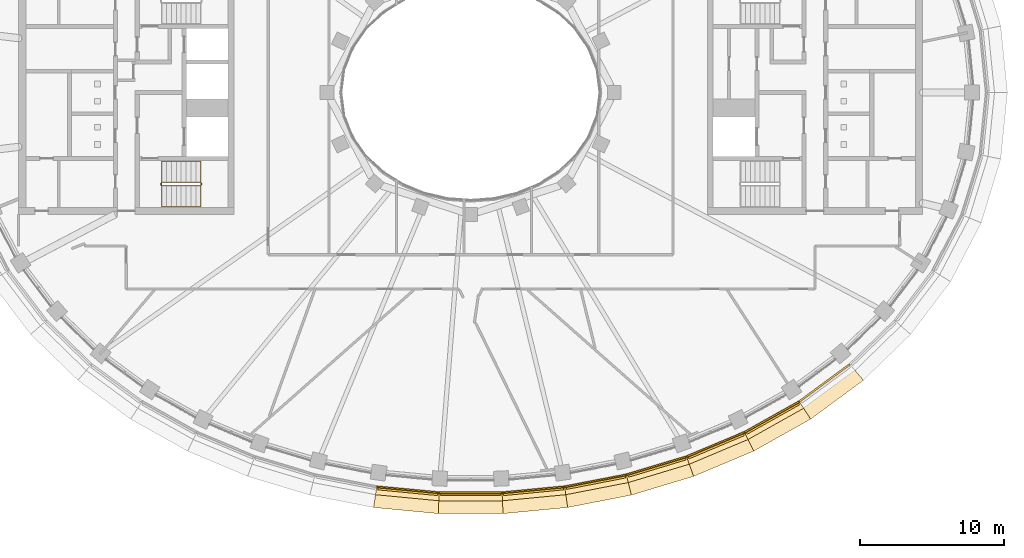
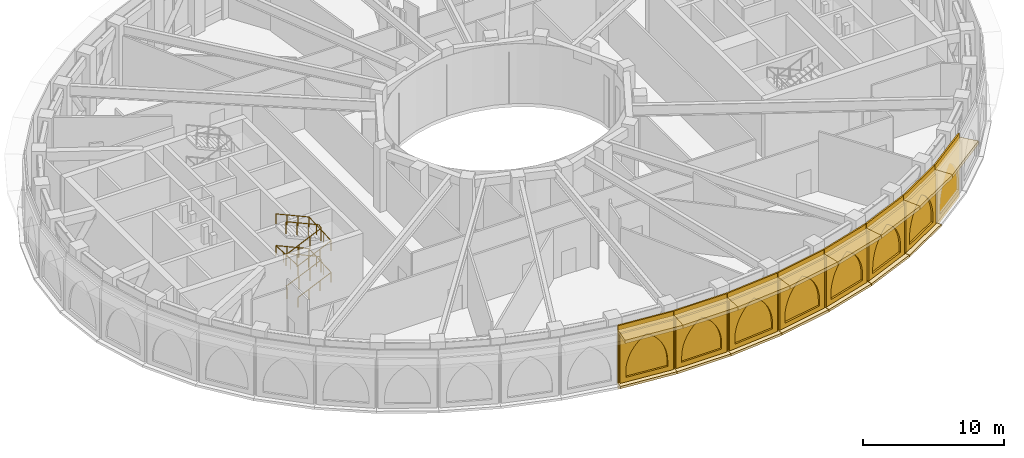
# One storey, part 19 of 23: 30 coverings, 2 railings.
"""IFC4 building model written with IfcOpenShell, lengths in metres."""

from ifc_helpers import new_model, si_unit, direction, frame, origin, origin_2d, place, context, subcontext, project, spatial, polyline, rectangle, outline, extrude, material, layer, layer_set, type_object, element, save


model = new_model("IFC4")

# Units and contexts
model_context = context("Model", 3, precision=1e-05, world=origin(), true_north=direction((0.0, 1.0)))
body_context = subcontext(model_context, "Body", "Model", "MODEL_VIEW")
ifc_project = project(units=[si_unit("LENGTHUNIT", "METRE"), si_unit("AREAUNIT", "SQUARE_METRE"), si_unit("VOLUMEUNIT", "CUBIC_METRE"), si_unit("PLANEANGLEUNIT", "RADIAN"), si_unit("MASSUNIT", "GRAM", prefix="KILO")], contexts=[model_context])

# Site, building, storey
site_placement = place(None, origin())
site = spatial("IfcSite", under=ifc_project, at=site_placement, CompositionType="ELEMENT")
building_placement = place(site_placement, origin())
building = spatial("IfcBuilding", under=site, at=building_placement, Name="Noorbagh Ring Tower", CompositionType="ELEMENT")
storey_placement = place(building_placement, frame((0.0, 0.0, 285.5)))
storey = spatial("IfcBuildingStorey", under=building, at=storey_placement, Name="L61", CompositionType="ELEMENT", Elevation=285.5)

# Railings
ifc_material_1 = material(Name="Stainless steel", Category="steel")
railing_type_1 = type_object("IfcRailingType", Name="CORE-STAIR-GUARD", PredefinedType="GUARDRAIL", material=ifc_material_1)
railing_1_placement = place(storey_placement, frame((-21.580078125, -6.449951171875, 0.0)))
element("IfcRailing", 1, at=railing_1_placement, inside=storey, type_object=railing_type_1, Name="L61 ST2 stair guard", PredefinedType="GUARDRAIL", context=body_context, shape_type="SweptSolid", body=[
    extrude(rectangle(XDim=0.048095703125, YDim=0.048095703125, at=origin_2d()), frame((0.0, 0.0, 1.076171875), z_axis=(0.0, 1.0, 0.0), x_axis=(-1.0, 0.0, 0.0)), (0.0, 0.0, 1.0), 0.14990234375),
    extrude(rectangle(XDim=0.048095703125, YDim=0.048095703125, at=origin_2d()), frame((0.0, 0.14990234375, 1.076171875), z_axis=(0.195046945594, -0.779236333862, 0.595606770449), x_axis=(0.970072785993, 0.242814311512, 0.0)), (0.0, 0.0, 1.0), 0.256591796875),
    extrude(rectangle(XDim=0.048095703125, YDim=0.048095703125, at=origin_2d()), frame((0.050048828125, -0.050048828125, 1.22900390625), z_axis=(0.912149621895, 0.0, 0.409857374312), x_axis=(0.0, 1.0, 0.0)), (0.0, 0.0, 1.0), 2.98193359375),
    extrude(rectangle(XDim=0.048095703125, YDim=0.048095703125, at=origin_2d()), frame((2.77001953125, -0.050048828125, 2.451171875), z_axis=(0.707106781187, 0.707106781187, 0.0), x_axis=(-0.707106781187, 0.707106781187, 0.0)), (0.0, 0.0, 1.0), 0.07080078125),
    extrude(rectangle(XDim=0.048095703125, YDim=0.048095703125, at=origin_2d()), frame((2.820068359375, 0.0, 2.451171875), z_axis=(0.0, 1.0, 0.0), x_axis=(-1.0, 0.0, 0.0)), (0.0, 0.0, 1.0), 0.14990234375),
    extrude(rectangle(XDim=0.048095703125, YDim=0.048095703125, at=origin_2d()), frame((2.820068359375, 0.14990234375, 2.451171875), z_axis=(-0.297155754911, 0.297155754911, 0.90741220768), x_axis=(-0.707106781187, -0.707106781187, 0.0)), (0.0, 0.0, 1.0), 0.16845703125),
    extrude(rectangle(XDim=0.048095703125, YDim=0.048095703125, at=origin_2d()), frame((2.77001953125, 0.199951171875, 2.60400390625), z_axis=(-0.912149621895, 0.0, 0.409857374312), x_axis=(0.0, -1.0, 0.0)), (0.0, 0.0, 1.0), 2.98193359375),
    extrude(rectangle(XDim=0.048095703125, YDim=0.048095703125, at=origin_2d()), frame((0.050048828125, 0.199951171875, 3.826171875), z_axis=(-0.242814311512, -0.970072785993, 0.0), x_axis=(0.970072785993, -0.242814311512, 0.0)), (0.0, 0.0, 1.0), 0.2060546875),
    extrude(rectangle(XDim=0.048095703125, YDim=0.048095703125, at=origin_2d()), frame((0.0, 0.0, 3.826171875), z_axis=(0.0, 1.0, 0.0), x_axis=(-1.0, 0.0, 0.0)), (0.0, 0.0, 1.0), 0.14990234375),
    extrude(rectangle(XDim=0.048095703125, YDim=0.048095703125, at=origin_2d()), frame((0.0, 0.14990234375, 3.826171875), z_axis=(0.195046945594, -0.779236333862, 0.595606770449), x_axis=(0.970072785993, 0.242814311512, 0.0)), (0.0, 0.0, 1.0), 0.256591796875),
    extrude(rectangle(XDim=0.048095703125, YDim=0.048095703125, at=origin_2d()), frame((0.050048828125, -0.050048828125, 3.97900390625), z_axis=(0.912149621895, 0.0, 0.409857374312), x_axis=(0.0, 1.0, 0.0)), (0.0, 0.0, 1.0), 2.98193359375),
    extrude(rectangle(XDim=0.048095703125, YDim=0.048095703125, at=origin_2d()), frame((2.77001953125, -0.050048828125, 5.201171875), z_axis=(0.707106781187, 0.707106781187, 0.0), x_axis=(-0.707106781187, 0.707106781187, 0.0)), (0.0, 0.0, 1.0), 0.07080078125),
    extrude(rectangle(XDim=0.048095703125, YDim=0.048095703125, at=origin_2d()), frame((2.820068359375, 0.0, 5.201171875), z_axis=(0.0, 1.0, 0.0), x_axis=(-1.0, 0.0, 0.0)), (0.0, 0.0, 1.0), 0.14990234375),
    extrude(rectangle(XDim=0.048095703125, YDim=0.048095703125, at=origin_2d()), frame((2.820068359375, 0.14990234375, 5.201171875), z_axis=(-0.297155754911, 0.297155754911, 0.90741220768), x_axis=(-0.707106781187, -0.707106781187, 0.0)), (0.0, 0.0, 1.0), 0.16845703125),
    extrude(rectangle(XDim=0.048095703125, YDim=0.048095703125, at=origin_2d()), frame((2.77001953125, 0.199951171875, 5.35400390625), z_axis=(-0.912149621895, 0.0, 0.409857374312), x_axis=(0.0, -1.0, 0.0)), (0.0, 0.0, 1.0), 2.98193359375),
    extrude(rectangle(XDim=0.0419921875, YDim=0.0419921875, at=origin_2d()), origin(), (0.0, 0.0, 1.0), 1.052001953125),
    extrude(rectangle(XDim=0.0419921875, YDim=0.0419921875, at=origin_2d()), frame((0.956787109375, -0.050048828125, 0.560302734375)), (0.0, 0.0, 1.0), 1.052001953125),
    extrude(rectangle(XDim=0.0419921875, YDim=0.0419921875, at=origin_2d()), frame((1.86328125, -0.050048828125, 0.967529296875)), (0.0, 0.0, 1.0), 1.052001953125),
    extrude(rectangle(XDim=0.0419921875, YDim=0.0419921875, at=origin_2d()), frame((2.77001953125, -0.050048828125, 1.375)), (0.0, 0.0, 1.0), 1.052001953125),
    extrude(rectangle(XDim=0.0419921875, YDim=0.0419921875, at=origin_2d()), frame((1.86328125, 0.199951171875, 1.935302734375)), (0.0, 0.0, 1.0), 1.052001953125),
    extrude(rectangle(XDim=0.0419921875, YDim=0.0419921875, at=origin_2d()), frame((0.956787109375, 0.199951171875, 2.342529296875)), (0.0, 0.0, 1.0), 1.052001953125),
    extrude(rectangle(XDim=0.0419921875, YDim=0.0419921875, at=origin_2d()), frame((0.050048828125, 0.199951171875, 2.75)), (0.0, 0.0, 1.0), 1.052001953125),
    extrude(rectangle(XDim=0.0419921875, YDim=0.0419921875, at=origin_2d()), frame((0.956787109375, -0.050048828125, 3.310302734375)), (0.0, 0.0, 1.0), 1.052001953125),
    extrude(rectangle(XDim=0.0419921875, YDim=0.0419921875, at=origin_2d()), frame((1.86328125, -0.050048828125, 3.717529296875)), (0.0, 0.0, 1.0), 1.052001953125),
    extrude(rectangle(XDim=0.0419921875, YDim=0.0419921875, at=origin_2d()), frame((2.77001953125, -0.050048828125, 4.125)), (0.0, 0.0, 1.0), 1.052001953125),
    extrude(rectangle(XDim=0.0419921875, YDim=0.0419921875, at=origin_2d()), frame((1.86328125, 0.199951171875, 4.685302734375)), (0.0, 0.0, 1.0), 1.052001953125),
    extrude(rectangle(XDim=0.0419921875, YDim=0.0419921875, at=origin_2d()), frame((0.956787109375, 0.199951171875, 5.092529296875)), (0.0, 0.0, 1.0), 1.052001953125),
    extrude(rectangle(XDim=0.0419921875, YDim=0.0419921875, at=origin_2d()), frame((0.050048828125, 0.199951171875, 5.5)), (0.0, 0.0, 1.0), 1.052001953125),
])
ifc_material_2 = material(Name="Stainless steel", Category="steel")
railing_type_2 = type_object("IfcRailingType", Name="CORE-STAIR-HANDRAIL", PredefinedType="HANDRAIL", material=ifc_material_2)
railing_2_placement = place(storey_placement, frame((-21.530029296875, -7.949951171875, 0.15283203125)))
element("IfcRailing", 2, at=railing_2_placement, inside=storey, type_object=railing_type_2, Name="L61 ST2 stair handrail", PredefinedType="HANDRAIL", context=body_context, shape_type="SweptSolid", body=[
    extrude(rectangle(XDim=0.048095703125, YDim=0.048095703125, at=origin_2d()), frame((0.0, 0.0, 0.8759765625), z_axis=(0.912149621895, 0.0, 0.409857374312), x_axis=(0.0, 1.0, 0.0)), (0.0, 0.0, 1.0), 2.98193359375),
    extrude(rectangle(XDim=0.048095703125, YDim=0.048095703125, at=origin_2d()), frame((2.719970703125, 0.0, 2.09814453125), z_axis=(0.0, 0.998824997948, 0.048462598722), x_axis=(-1.0, 0.0, 0.0)), (0.0, 0.0, 1.0), 3.153564453125),
    extrude(rectangle(XDim=0.048095703125, YDim=0.048095703125, at=origin_2d()), frame((2.719970703125, 3.14990234375, 2.2509765625), z_axis=(-0.912149621895, 0.0, 0.409857374312), x_axis=(0.0, -1.0, 0.0)), (0.0, 0.0, 1.0), 2.98193359375),
    extrude(rectangle(XDim=0.048095703125, YDim=0.048095703125, at=origin_2d()), frame((0.0, 3.14990234375, 3.47314453125), z_axis=(0.0, -0.998824997948, 0.048462598722), x_axis=(1.0, 0.0, 0.0)), (0.0, 0.0, 1.0), 3.153564453125),
    extrude(rectangle(XDim=0.048095703125, YDim=0.048095703125, at=origin_2d()), frame((0.0, 0.0, 3.6259765625), z_axis=(0.912149621895, 0.0, 0.409857374312), x_axis=(0.0, 1.0, 0.0)), (0.0, 0.0, 1.0), 2.98193359375),
    extrude(rectangle(XDim=0.048095703125, YDim=0.048095703125, at=origin_2d()), frame((2.719970703125, 0.0, 4.84814453125), z_axis=(0.0, 0.998824997948, 0.048462598722), x_axis=(-1.0, 0.0, 0.0)), (0.0, 0.0, 1.0), 3.153564453125),
    extrude(rectangle(XDim=0.048095703125, YDim=0.048095703125, at=origin_2d()), frame((2.719970703125, 3.14990234375, 5.0009765625), z_axis=(-0.912149621895, 0.0, 0.409857374312), x_axis=(0.0, -1.0, 0.0)), (0.0, 0.0, 1.0), 2.98193359375),
    extrude(rectangle(XDim=0.0419921875, YDim=0.0419921875, at=origin_2d()), origin(), (0.0, 0.0, 1.0), 0.851806640625),
    extrude(rectangle(XDim=0.0419921875, YDim=0.0419921875, at=origin_2d()), frame((0.90673828125, 0.0, 0.407470703125)), (0.0, 0.0, 1.0), 0.851806640625),
    extrude(rectangle(XDim=0.0419921875, YDim=0.0419921875, at=origin_2d()), frame((1.813232421875, 0.0, 0.814697265625)), (0.0, 0.0, 1.0), 0.851806640625),
    extrude(rectangle(XDim=0.0419921875, YDim=0.0419921875, at=origin_2d()), frame((2.719970703125, 0.0, 1.22216796875)), (0.0, 0.0, 1.0), 0.851806640625),
    extrude(rectangle(XDim=0.0419921875, YDim=0.0419921875, at=origin_2d()), frame((2.719970703125, 1.050048828125, 1.273193359375)), (0.0, 0.0, 1.0), 0.851806640625),
    extrude(rectangle(XDim=0.0419921875, YDim=0.0419921875, at=origin_2d()), frame((2.719970703125, 2.099853515625, 1.323974609375)), (0.0, 0.0, 1.0), 0.851806640625),
    extrude(rectangle(XDim=0.0419921875, YDim=0.0419921875, at=origin_2d()), frame((2.719970703125, 3.14990234375, 1.375)), (0.0, 0.0, 1.0), 0.851806640625),
    extrude(rectangle(XDim=0.0419921875, YDim=0.0419921875, at=origin_2d()), frame((1.813232421875, 3.14990234375, 1.782470703125)), (0.0, 0.0, 1.0), 0.851806640625),
    extrude(rectangle(XDim=0.0419921875, YDim=0.0419921875, at=origin_2d()), frame((0.90673828125, 3.14990234375, 2.189697265625)), (0.0, 0.0, 1.0), 0.851806640625),
    extrude(rectangle(XDim=0.0419921875, YDim=0.0419921875, at=origin_2d()), frame((0.0, 3.14990234375, 2.59716796875)), (0.0, 0.0, 1.0), 0.851806640625),
    extrude(rectangle(XDim=0.0419921875, YDim=0.0419921875, at=origin_2d()), frame((0.0, 2.099853515625, 2.648193359375)), (0.0, 0.0, 1.0), 0.851806640625),
    extrude(rectangle(XDim=0.0419921875, YDim=0.0419921875, at=origin_2d()), frame((0.0, 1.050048828125, 2.698974609375)), (0.0, 0.0, 1.0), 0.851806640625),
    extrude(rectangle(XDim=0.0419921875, YDim=0.0419921875, at=origin_2d()), frame((0.0, 0.0, 2.75)), (0.0, 0.0, 1.0), 0.851806640625),
    extrude(rectangle(XDim=0.0419921875, YDim=0.0419921875, at=origin_2d()), frame((0.90673828125, 0.0, 3.157470703125)), (0.0, 0.0, 1.0), 0.851806640625),
    extrude(rectangle(XDim=0.0419921875, YDim=0.0419921875, at=origin_2d()), frame((1.813232421875, 0.0, 3.564697265625)), (0.0, 0.0, 1.0), 0.851806640625),
    extrude(rectangle(XDim=0.0419921875, YDim=0.0419921875, at=origin_2d()), frame((2.719970703125, 0.0, 3.97216796875)), (0.0, 0.0, 1.0), 0.851806640625),
    extrude(rectangle(XDim=0.0419921875, YDim=0.0419921875, at=origin_2d()), frame((2.719970703125, 1.050048828125, 4.023193359375)), (0.0, 0.0, 1.0), 0.851806640625),
    extrude(rectangle(XDim=0.0419921875, YDim=0.0419921875, at=origin_2d()), frame((2.719970703125, 2.099853515625, 4.073974609375)), (0.0, 0.0, 1.0), 0.851806640625),
    extrude(rectangle(XDim=0.0419921875, YDim=0.0419921875, at=origin_2d()), frame((2.719970703125, 3.14990234375, 4.125)), (0.0, 0.0, 1.0), 0.851806640625),
    extrude(rectangle(XDim=0.0419921875, YDim=0.0419921875, at=origin_2d()), frame((1.813232421875, 3.14990234375, 4.532470703125)), (0.0, 0.0, 1.0), 0.851806640625),
    extrude(rectangle(XDim=0.0419921875, YDim=0.0419921875, at=origin_2d()), frame((0.90673828125, 3.14990234375, 4.939697265625)), (0.0, 0.0, 1.0), 0.851806640625),
    extrude(rectangle(XDim=0.0419921875, YDim=0.0419921875, at=origin_2d()), frame((0.0, 3.14990234375, 5.34716796875)), (0.0, 0.0, 1.0), 0.851806640625),
])

# Coverings
ifc_material_3 = material(Name="Aluminium 6063-T6 black anodised", Category="aluminium")
ifc_layer_1 = layer(ifc_material_3, 0.1201171875)
ifc_layer_set_1 = layer_set([ifc_layer_1], Name="Aluminium 6063-T6 black anodised")
covering_type_1 = type_object("IfcCoveringType", Name="ENV-LOUVRE-BAND", PredefinedType="CLADDING", material=ifc_layer_set_1)
for number, where, z_axis, x_axis, name in (
    (3, (-4.37060546875, -27.679931640625, -0.300048828125), (0.0, 0.0, 1.0), (0.995476497323, -0.095008122171, 0.0), "Louvre screen chord 34"),
    (4, (0.0, -27.887939453125, -0.300048828125), (0.0, 0.0, 1.0), (1.0, 0.0, 0.0), "Louvre screen chord 35"),
    (5, (4.37060546875, -27.679931640625, -0.300048828125), (0.0, 0.0, 1.0), (0.995476497323, 0.095008122171, 0.0), "Louvre screen chord 36"),
    (6, (8.700927734375, -27.053955078125, -0.300048828125), (0.0, 0.0, 1.0), (0.981624952922, 0.190820470077, 0.0), "Louvre screen chord 37"),
):
    element("IfcCovering", number, at=place(storey_placement, frame(where, z_axis=z_axis, x_axis=x_axis)), inside=storey, type_object=covering_type_1, Name=name, ObjectType="LOUVRE", PredefinedType="CLADDING", context=body_context, shape_type="SweptSolid", body=[
        extrude(rectangle(XDim=4.349853515625, YDim=0.1201171875, at=origin_2d()), origin(), (0.0, 0.0, 1.0), 5.5),
    ])
covering_1_placement = place(storey_placement, frame((12.947998046875, -26.0048828125, -0.300048828125), z_axis=(0.0, 0.0, 1.0), x_axis=(0.957577925467, 0.28817445525, 0.0)))
element("IfcCovering", 7, at=covering_1_placement, inside=storey, type_object=covering_type_1, Name="Louvre screen chord 38", ObjectType="LOUVRE", PredefinedType="CLADDING", context=body_context, shape_type="SweptSolid", body=[
    extrude(rectangle(XDim=4.349609375, YDim=0.1201171875, at=origin_2d()), origin(), (0.0, 0.0, 1.0), 5.5),
])
covering_2_placement = place(storey_placement, frame((17.0634765625, -24.52490234375, -0.300048828125), z_axis=(0.0, 0.0, 1.0), x_axis=(0.921811566494, 0.387638279686, 0.0)))
element("IfcCovering", 8, at=covering_2_placement, inside=storey, type_object=covering_type_1, Name="Louvre screen chord 39", ObjectType="LOUVRE", PredefinedType="CLADDING", context=body_context, shape_type="SweptSolid", body=[
    extrude(rectangle(XDim=4.349365234375, YDim=0.1201171875, at=origin_2d()), origin(), (0.0, 0.0, 1.0), 5.5),
])
covering_3_placement = place(storey_placement, frame((20.990966796875, -22.604736328125, -0.300048828125), z_axis=(0.0, 0.0, 1.0), x_axis=(0.872044586249, 0.48942643941, 0.0)))
element("IfcCovering", 9, at=covering_3_placement, inside=storey, type_object=covering_type_1, Name="Louvre screen chord 40", ObjectType="LOUVRE", PredefinedType="CLADDING", context=body_context, shape_type="SweptSolid", body=[
    extrude(rectangle(XDim=4.34912109375, YDim=0.1201171875, at=origin_2d()), origin(), (0.0, 0.0, 1.0), 5.5),
])
covering_4_placement = place(storey_placement, frame((24.662109375, -20.2353515625, -0.300048828125), z_axis=(0.0, 0.0, 1.0), x_axis=(0.805153045326, 0.593067090304, 0.0)))
element("IfcCovering", 10, at=covering_4_placement, inside=storey, type_object=covering_type_1, Name="Louvre screen chord 41", ObjectType="LOUVRE", PredefinedType="CLADDING", context=body_context, shape_type="SweptSolid", body=[
    extrude(rectangle(XDim=4.3486328125, YDim=0.1201171875, at=origin_2d()), origin(), (0.0, 0.0, 1.0), 5.5),
])
ifc_material_4 = material(Name="Red sandstone cladding", Category="masonry")
ifc_layer_2 = layer(ifc_material_4, 0.14990234375)
ifc_layer_set_2 = layer_set([ifc_layer_2], Name="Red sandstone cladding")
covering_type_2 = type_object("IfcCoveringType", Name="STYLE-BAND-ARCADE", PredefinedType="USERDEFINED", material=ifc_layer_set_2)
covering_5_placement = place(storey_placement, frame((-6.474365234375, -27.690185546875, 0.25), z_axis=(-0.094998982718, -0.995477369548, 0.0), x_axis=(0.995477369548, -0.094998982718, 0.0)))
element("IfcCovering", 11, at=covering_5_placement, inside=storey, type_object=covering_type_2, Name="Blind arch bay of the band", ObjectType="ARCH", PredefinedType="USERDEFINED", context=body_context, shape_type="SweptSolid", body=[
    extrude(outline(polyline([(0.0, 0.0), (4.1865234375, 0.0), (4.1865234375, 4.300048828125), (0.0, 4.300048828125), (0.0, 0.0)]), holes=[polyline([(0.449951171875, 0.39990234375), (0.449951171875, 0.904052734375), (0.47802734375, 1.3330078125), (0.56201171875, 1.754638671875), (0.7001953125, 2.16162109375), (0.890380859375, 2.547119140625), (1.129150390625, 2.904541015625), (1.41259765625, 3.227783203125), (1.735595703125, 3.51123046875), (2.09326171875, 3.75), (2.45068359375, 3.51123046875), (2.773681640625, 3.227783203125), (3.05712890625, 2.904541015625), (3.2958984375, 2.547119140625), (3.486083984375, 2.16162109375), (3.624267578125, 1.754638671875), (3.708251953125, 1.3330078125), (3.736328125, 0.904052734375), (3.736328125, 0.39990234375), (0.449951171875, 0.39990234375)])]), origin(), (0.0, 0.0, -1.0), 0.14990234375),
])
covering_6_placement = place(storey_placement, frame((-2.09326171875, -28.097900390625, 0.25), z_axis=(0.0, -1.0, 0.0), x_axis=(1.0, 0.0, 0.0)))
element("IfcCovering", 12, at=covering_6_placement, inside=storey, type_object=covering_type_2, Name="Blind arch bay of the band", ObjectType="ARCH", PredefinedType="USERDEFINED", context=body_context, shape_type="SweptSolid", body=[
    extrude(outline(polyline([(0.0, 0.0), (4.1865234375, 0.0), (4.1865234375, 4.300048828125), (0.0, 4.300048828125), (0.0, 0.0)]), holes=[polyline([(0.449951171875, 0.39990234375), (0.449951171875, 0.904052734375), (0.47802734375, 1.3330078125), (0.56201171875, 1.754638671875), (0.7001953125, 2.16162109375), (0.890380859375, 2.547119140625), (1.129150390625, 2.904541015625), (1.41259765625, 3.227783203125), (1.735595703125, 3.51123046875), (2.09326171875, 3.75), (2.45068359375, 3.51123046875), (2.773681640625, 3.227783203125), (3.05712890625, 2.904541015625), (3.296142578125, 2.547119140625), (3.486083984375, 2.16162109375), (3.62451171875, 1.754638671875), (3.708251953125, 1.3330078125), (3.736328125, 0.904052734375), (3.736328125, 0.39990234375), (0.449951171875, 0.39990234375)])]), origin(), (0.0, 0.0, -1.0), 0.14990234375),
])
covering_7_placement = place(storey_placement, frame((2.306884765625, -28.087890625, 0.25), z_axis=(0.094998982718, -0.995477369548, 0.0), x_axis=(0.995477369548, 0.094998982718, 0.0)))
element("IfcCovering", 13, at=covering_7_placement, inside=storey, type_object=covering_type_2, Name="Blind arch bay of the band", ObjectType="ARCH", PredefinedType="USERDEFINED", context=body_context, shape_type="SweptSolid", body=[
    extrude(outline(polyline([(0.0, 0.0), (4.1865234375, 0.0), (4.1865234375, 4.300048828125), (0.0, 4.300048828125), (0.0, 0.0)]), holes=[polyline([(0.449951171875, 0.39990234375), (0.449951171875, 0.904052734375), (0.47802734375, 1.3330078125), (0.56201171875, 1.754638671875), (0.7001953125, 2.16162109375), (0.890380859375, 2.547119140625), (1.129150390625, 2.904541015625), (1.41259765625, 3.227783203125), (1.735595703125, 3.51123046875), (2.09326171875, 3.75), (2.45068359375, 3.51123046875), (2.773681640625, 3.227783203125), (3.05712890625, 2.904541015625), (3.2958984375, 2.547119140625), (3.486083984375, 2.16162109375), (3.624267578125, 1.754638671875), (3.708251953125, 1.3330078125), (3.736328125, 0.904052734375), (3.736328125, 0.39990234375), (0.449951171875, 0.39990234375)])]), origin(), (0.0, 0.0, -1.0), 0.14990234375),
])
covering_8_placement = place(storey_placement, frame((6.6865234375, -27.659423828125, 0.25), z_axis=(0.190819708322, -0.981625101001, 0.0), x_axis=(0.981625101001, 0.190819708322, 0.0)))
element("IfcCovering", 14, at=covering_8_placement, inside=storey, type_object=covering_type_2, Name="Blind arch bay of the band", ObjectType="ARCH", PredefinedType="USERDEFINED", context=body_context, shape_type="SweptSolid", body=[
    extrude(outline(polyline([(0.0, 0.0), (4.186279296875, 0.0), (4.186279296875, 4.300048828125), (0.0, 4.300048828125), (0.0, 0.0)]), holes=[polyline([(0.449951171875, 0.39990234375), (0.449951171875, 0.904052734375), (0.47802734375, 1.3330078125), (0.56201171875, 1.754638671875), (0.7001953125, 2.16162109375), (0.890380859375, 2.547119140625), (1.129150390625, 2.90478515625), (1.41259765625, 3.227783203125), (1.735595703125, 3.51123046875), (2.093017578125, 3.75), (2.450439453125, 3.51123046875), (2.773681640625, 3.227783203125), (3.05712890625, 2.90478515625), (3.2958984375, 2.547119140625), (3.486083984375, 2.16162109375), (3.624267578125, 1.754638671875), (3.7080078125, 1.3330078125), (3.736083984375, 0.904052734375), (3.736083984375, 0.39990234375), (0.449951171875, 0.39990234375)])]), origin(), (0.0, 0.0, -1.0), 0.14990234375),
])
covering_9_placement = place(storey_placement, frame((11.00439453125, -26.80908203125, 0.25), z_axis=(0.288182515773, -0.957575499688, 0.0), x_axis=(0.957575499688, 0.288182515773, 0.0)))
element("IfcCovering", 15, at=covering_9_placement, inside=storey, type_object=covering_type_2, Name="Blind arch bay of the band", ObjectType="ARCH", PredefinedType="USERDEFINED", context=body_context, shape_type="SweptSolid", body=[
    extrude(outline(polyline([(0.0, 0.0), (4.185791015625, 0.0), (4.185791015625, 4.300048828125), (0.0, 4.300048828125), (0.0, 0.0)]), holes=[polyline([(0.449951171875, 0.39990234375), (0.449951171875, 0.904296875), (0.47802734375, 1.333251953125), (0.56201171875, 1.7548828125), (0.7001953125, 2.161865234375), (0.890380859375, 2.54736328125), (1.129150390625, 2.90478515625), (1.41259765625, 3.227783203125), (1.735595703125, 3.51123046875), (2.093017578125, 3.75), (2.450439453125, 3.51123046875), (2.773681640625, 3.227783203125), (3.056884765625, 2.90478515625), (3.2958984375, 2.54736328125), (3.48583984375, 2.161865234375), (3.6240234375, 1.7548828125), (3.7080078125, 1.333251953125), (3.736083984375, 0.904296875), (3.736083984375, 0.39990234375), (0.449951171875, 0.39990234375)])]), origin(), (0.0, 0.0, -1.0), 0.14990234375),
])
covering_10_placement = place(storey_placement, frame((15.215576171875, -25.52978515625, 0.25), z_axis=(0.387624121421, -0.92181752017, 0.0), x_axis=(0.92181752017, 0.387624121421, 0.0)))
element("IfcCovering", 16, at=covering_10_placement, inside=storey, type_object=covering_type_2, Name="Blind arch bay of the band", ObjectType="ARCH", PredefinedType="USERDEFINED", context=body_context, shape_type="SweptSolid", body=[
    extrude(outline(polyline([(0.0, 0.0), (4.185791015625, 0.0), (4.185791015625, 4.300048828125), (0.0, 4.300048828125), (0.0, 0.0)]), holes=[polyline([(0.449951171875, 0.39990234375), (0.449951171875, 0.904541015625), (0.47802734375, 1.33349609375), (0.56201171875, 1.7548828125), (0.7001953125, 2.161865234375), (0.89013671875, 2.54736328125), (1.12890625, 2.90478515625), (1.412353515625, 3.227783203125), (1.735595703125, 3.51123046875), (2.093017578125, 3.75), (2.4501953125, 3.51123046875), (2.7734375, 3.227783203125), (3.056884765625, 2.90478515625), (3.295654296875, 2.54736328125), (3.485595703125, 2.161865234375), (3.623779296875, 1.7548828125), (3.707763671875, 1.33349609375), (3.73583984375, 0.904541015625), (3.73583984375, 0.39990234375), (0.449951171875, 0.39990234375)])]), origin(), (0.0, 0.0, -1.0), 0.14990234375),
])
covering_11_placement = place(storey_placement, frame((19.268798828125, -23.81201171875, 0.25), z_axis=(0.489402470802, -0.872058037961, 0.0), x_axis=(0.872058037961, 0.489402470802, 0.0)))
element("IfcCovering", 17, at=covering_11_placement, inside=storey, type_object=covering_type_2, Name="Blind arch bay of the band", ObjectType="ARCH", PredefinedType="USERDEFINED", context=body_context, shape_type="SweptSolid", body=[
    extrude(outline(polyline([(0.0, 0.0), (4.185302734375, 0.0), (4.185302734375, 4.300048828125), (0.0, 4.300048828125), (0.0, 0.0)]), holes=[polyline([(0.449951171875, 0.39990234375), (0.449951171875, 0.90478515625), (0.47802734375, 1.33349609375), (0.56201171875, 1.755126953125), (0.7001953125, 2.162109375), (0.89013671875, 2.547607421875), (1.12890625, 2.90478515625), (1.412353515625, 3.22802734375), (1.7353515625, 3.51123046875), (2.0927734375, 3.75), (2.4501953125, 3.51123046875), (2.773193359375, 3.22802734375), (3.056396484375, 2.90478515625), (3.29541015625, 2.547607421875), (3.4853515625, 2.162109375), (3.62353515625, 1.755126953125), (3.70751953125, 1.33349609375), (3.735595703125, 0.90478515625), (3.735595703125, 0.39990234375), (0.449951171875, 0.39990234375)])]), origin(), (0.0, 0.0, -1.0), 0.14990234375),
])
ifc_material_5 = material(Name="Red sandstone eave", Category="masonry")
covering_type_3 = type_object("IfcCoveringType", Name="STYLE-BAND-EAVE", PredefinedType="USERDEFINED", material=ifc_material_5)
covering_12_placement = place(storey_placement, frame((0.0, 0.0, 4.550048828125)))
element("IfcCovering", 18, at=covering_12_placement, inside=storey, type_object=covering_type_3, Name="Chhajja eave", ObjectType="CHHAJJA", PredefinedType="USERDEFINED", context=body_context, shape_type="SweptSolid", body=[
    extrude(outline(polyline([(-6.559814453125, -27.53125), (-2.193115234375, -27.947998046875), (-2.259765625, -29.347900390625), (-6.76025390625, -28.91845703125), (-6.559814453125, -27.53125)])), origin(), (0.0, 0.0, 1.0), 0.300048828125),
])
covering_13_placement = place(storey_placement, frame((0.0, 0.0, 4.550048828125)))
element("IfcCovering", 19, at=covering_13_placement, inside=storey, type_object=covering_type_3, Name="Chhajja eave", ObjectType="CHHAJJA", PredefinedType="USERDEFINED", context=body_context, shape_type="SweptSolid", body=[
    extrude(outline(polyline([(-2.193115234375, -27.947998046875), (2.193115234375, -27.947998046875), (2.259765625, -29.347900390625), (-2.259765625, -29.347900390625), (-2.193115234375, -27.947998046875)])), origin(), (0.0, 0.0, 1.0), 0.300048828125),
])
covering_14_placement = place(storey_placement, frame((0.0, 0.0, 4.550048828125)))
element("IfcCovering", 20, at=covering_14_placement, inside=storey, type_object=covering_type_3, Name="Chhajja eave", ObjectType="CHHAJJA", PredefinedType="USERDEFINED", context=body_context, shape_type="SweptSolid", body=[
    extrude(outline(polyline([(2.193115234375, -27.947998046875), (6.559814453125, -27.53125), (6.76025390625, -28.91845703125), (2.259765625, -29.347900390625), (2.193115234375, -27.947998046875)])), origin(), (0.0, 0.0, 1.0), 0.300048828125),
])
covering_15_placement = place(storey_placement, frame((0.0, 0.0, 4.550048828125)))
element("IfcCovering", 21, at=covering_15_placement, inside=storey, type_object=covering_type_3, Name="Chhajja eave", ObjectType="CHHAJJA", PredefinedType="USERDEFINED", context=body_context, shape_type="SweptSolid", body=[
    extrude(outline(polyline([(6.559814453125, -27.53125), (10.865234375, -26.6943359375), (11.201416015625, -28.05517578125), (6.76025390625, -28.91845703125), (6.559814453125, -27.53125)])), origin(), (0.0, 0.0, 1.0), 0.300048828125),
])
covering_16_placement = place(storey_placement, frame((0.0, 0.0, 4.550048828125)))
element("IfcCovering", 22, at=covering_16_placement, inside=storey, type_object=covering_type_3, Name="Chhajja eave", ObjectType="CHHAJJA", PredefinedType="USERDEFINED", context=body_context, shape_type="SweptSolid", body=[
    extrude(outline(polyline([(10.865234375, -26.6943359375), (15.065185546875, -25.430419921875), (15.539794921875, -26.74951171875), (11.201416015625, -28.05517578125), (10.865234375, -26.6943359375)])), origin(), (0.0, 0.0, 1.0), 0.300048828125),
])
covering_17_placement = place(storey_placement, frame((0.0, 0.0, 4.550048828125)))
element("IfcCovering", 23, at=covering_17_placement, inside=storey, type_object=covering_type_3, Name="Chhajja eave", ObjectType="CHHAJJA", PredefinedType="USERDEFINED", context=body_context, shape_type="SweptSolid", body=[
    extrude(outline(polyline([(15.065185546875, -25.430419921875), (19.108154296875, -23.730224609375), (19.72412109375, -24.989990234375), (15.539794921875, -26.74951171875), (15.065185546875, -25.430419921875)])), origin(), (0.0, 0.0, 1.0), 0.300048828125),
])
covering_18_placement = place(storey_placement, frame((0.0, 0.0, 4.550048828125)))
element("IfcCovering", 24, at=covering_18_placement, inside=storey, type_object=covering_type_3, Name="Chhajja eave", ObjectType="CHHAJJA", PredefinedType="USERDEFINED", context=body_context, shape_type="SweptSolid", body=[
    extrude(outline(polyline([(19.108154296875, -23.730224609375), (22.9326171875, -21.583740234375), (23.693115234375, -22.762451171875), (19.72412109375, -24.989990234375), (19.108154296875, -23.730224609375)])), origin(), (0.0, 0.0, 1.0), 0.300048828125),
])
covering_19_placement = place(storey_placement, frame((0.0, 0.0, 4.550048828125)))
element("IfcCovering", 25, at=covering_19_placement, inside=storey, type_object=covering_type_3, Name="Chhajja eave", ObjectType="CHHAJJA", PredefinedType="USERDEFINED", context=body_context, shape_type="SweptSolid", body=[
    extrude(outline(polyline([(22.9326171875, -21.583740234375), (26.463134765625, -18.9833984375), (27.3701171875, -20.053955078125), (23.693115234375, -22.762451171875), (22.9326171875, -21.583740234375)])), origin(), (0.0, 0.0, 1.0), 0.300048828125),
])
ifc_material_6 = material(Name="Red sandstone eave", Category="masonry")
covering_type_4 = type_object("IfcCoveringType", Name="STYLE-BAND-SILL", PredefinedType="USERDEFINED", material=ifc_material_6)
covering_20_placement = place(storey_placement, frame((0.0, 0.0, 0.050048828125)))
element("IfcCovering", 26, at=covering_20_placement, inside=storey, type_object=covering_type_4, Name="Sill ledge", ObjectType="CHHAJJA", PredefinedType="USERDEFINED", context=body_context, shape_type="SweptSolid", body=[
    extrude(outline(polyline([(-6.559814453125, -27.53125), (-2.193115234375, -27.947998046875), (-2.217041015625, -28.447998046875), (-6.63134765625, -28.026611328125), (-6.559814453125, -27.53125)])), origin(), (0.0, 0.0, 1.0), 0.199951171875),
])
covering_21_placement = place(storey_placement, frame((0.0, 0.0, 0.050048828125)))
element("IfcCovering", 27, at=covering_21_placement, inside=storey, type_object=covering_type_4, Name="Sill ledge", ObjectType="CHHAJJA", PredefinedType="USERDEFINED", context=body_context, shape_type="SweptSolid", body=[
    extrude(outline(polyline([(-2.193115234375, -27.947998046875), (2.193115234375, -27.947998046875), (2.217041015625, -28.447998046875), (-2.217041015625, -28.447998046875), (-2.193115234375, -27.947998046875)])), origin(), (0.0, 0.0, 1.0), 0.199951171875),
])
covering_22_placement = place(storey_placement, frame((0.0, 0.0, 0.050048828125)))
element("IfcCovering", 28, at=covering_22_placement, inside=storey, type_object=covering_type_4, Name="Sill ledge", ObjectType="CHHAJJA", PredefinedType="USERDEFINED", context=body_context, shape_type="SweptSolid", body=[
    extrude(outline(polyline([(2.193115234375, -27.947998046875), (6.559814453125, -27.53125), (6.63134765625, -28.026611328125), (2.217041015625, -28.447998046875), (2.193115234375, -27.947998046875)])), origin(), (0.0, 0.0, 1.0), 0.199951171875),
])
covering_23_placement = place(storey_placement, frame((0.0, 0.0, 0.050048828125)))
element("IfcCovering", 29, at=covering_23_placement, inside=storey, type_object=covering_type_4, Name="Sill ledge", ObjectType="CHHAJJA", PredefinedType="USERDEFINED", context=body_context, shape_type="SweptSolid", body=[
    extrude(outline(polyline([(6.559814453125, -27.53125), (10.865234375, -26.6943359375), (10.9853515625, -27.180419921875), (6.63134765625, -28.026611328125), (6.559814453125, -27.53125)])), origin(), (0.0, 0.0, 1.0), 0.199951171875),
])
covering_24_placement = place(storey_placement, frame((0.0, 0.0, 0.050048828125)))
element("IfcCovering", 30, at=covering_24_placement, inside=storey, type_object=covering_type_4, Name="Sill ledge", ObjectType="CHHAJJA", PredefinedType="USERDEFINED", context=body_context, shape_type="SweptSolid", body=[
    extrude(outline(polyline([(10.865234375, -26.6943359375), (15.065185546875, -25.430419921875), (15.234619140625, -25.901611328125), (10.9853515625, -27.180419921875), (10.865234375, -26.6943359375)])), origin(), (0.0, 0.0, 1.0), 0.199951171875),
])
covering_25_placement = place(storey_placement, frame((0.0, 0.0, 0.050048828125)))
element("IfcCovering", 31, at=covering_25_placement, inside=storey, type_object=covering_type_4, Name="Sill ledge", ObjectType="CHHAJJA", PredefinedType="USERDEFINED", context=body_context, shape_type="SweptSolid", body=[
    extrude(outline(polyline([(15.065185546875, -25.430419921875), (19.108154296875, -23.730224609375), (19.328125, -24.18017578125), (15.234619140625, -25.901611328125), (15.065185546875, -25.430419921875)])), origin(), (0.0, 0.0, 1.0), 0.199951171875),
])
covering_26_placement = place(storey_placement, frame((0.0, 0.0, 0.050048828125)))
element("IfcCovering", 32, at=covering_26_placement, inside=storey, type_object=covering_type_4, Name="Sill ledge", ObjectType="CHHAJJA", PredefinedType="USERDEFINED", context=body_context, shape_type="SweptSolid", body=[
    extrude(outline(polyline([(19.108154296875, -23.730224609375), (22.9326171875, -21.583740234375), (23.2041015625, -22.004638671875), (19.328125, -24.18017578125), (19.108154296875, -23.730224609375)])), origin(), (0.0, 0.0, 1.0), 0.199951171875),
])

save(model, "model.ifc")
